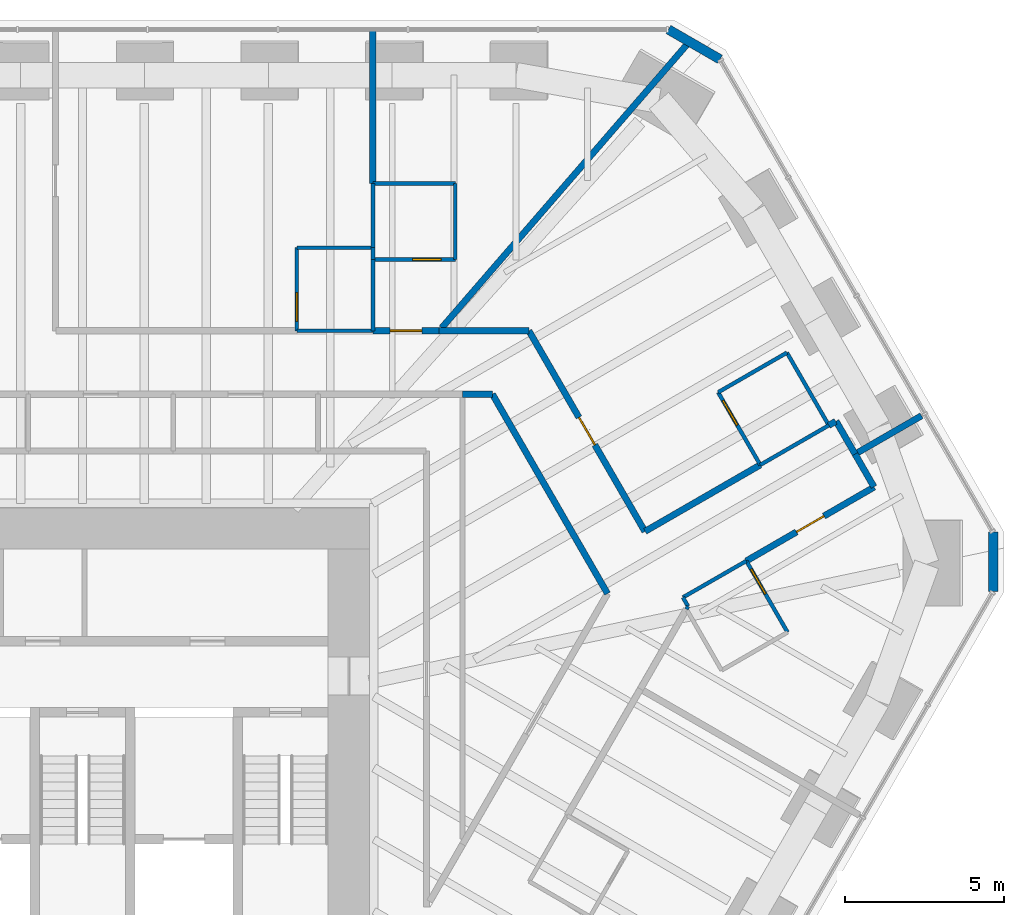
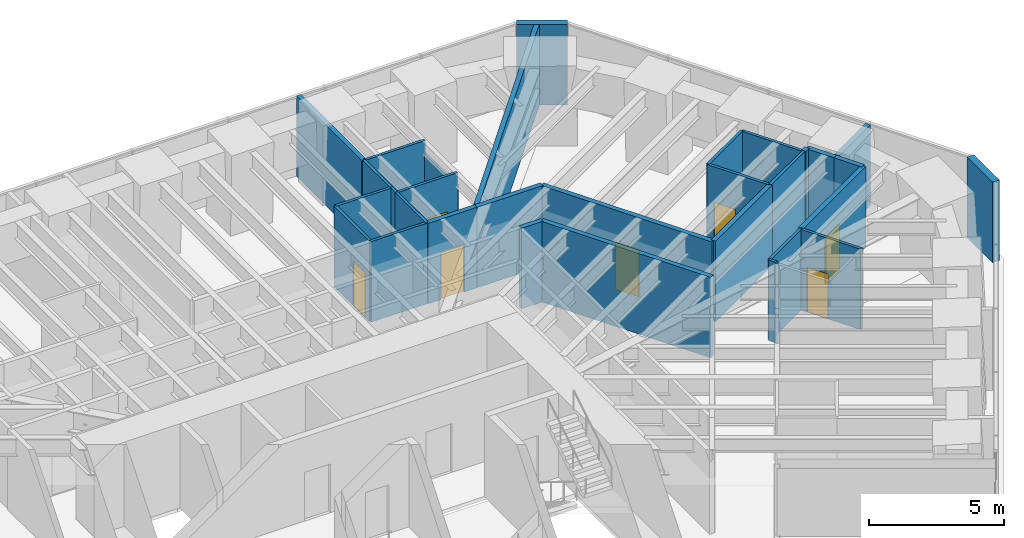
# One storey, part 15 of 17: 32 walls, 7 doors, 7 openings.
"""IFC4 building model written with IfcOpenShell, lengths in metres."""

from ifc_helpers import new_model, si_unit, direction, frame, frame_2d, origin, place, context, subcontext, project, spatial, rectangle, extrude, material, layer, layer_set, type_object, element, fill, save


model = new_model("IFC4")

# Units and contexts
model_context = context("Model", 3, precision=1e-05, world=origin(), true_north=direction((0.0, 1.0)))
body_context = subcontext(model_context, "Body", "Model", "MODEL_VIEW")
ifc_project = project(units=[si_unit("LENGTHUNIT", "METRE"), si_unit("AREAUNIT", "SQUARE_METRE"), si_unit("VOLUMEUNIT", "CUBIC_METRE"), si_unit("PLANEANGLEUNIT", "RADIAN"), si_unit("MASSUNIT", "GRAM", prefix="KILO")], contexts=[model_context])

# Site, building, storey
site_placement = place(None, origin())
site = spatial("IfcSite", under=ifc_project, at=site_placement, CompositionType="ELEMENT")
building_placement = place(site_placement, origin())
building = spatial("IfcBuilding", under=site, at=building_placement, Name="Sandreach Pilgrim Tower", CompositionType="ELEMENT")
storey_placement = place(building_placement, frame((0.0, 0.0, 150.0)))
storey = spatial("IfcBuildingStorey", under=building, at=storey_placement, Name="L37", CompositionType="ELEMENT", Elevation=150.0)

# Wall, opening, door
ifc_material_1 = material(Name="Moisture-resistant gypsum board on steel studs", Category="steel")
ifc_layer_1 = layer(ifc_material_1, 0.1201171875)
ifc_layer_set_1 = layer_set([ifc_layer_1], Name="Bathroom partition 120")
wall_type_1 = type_object("IfcWallType", Name="Bathroom partition 120", PredefinedType="PARTITIONING", material=ifc_layer_set_1)
wall_1_placement = place(storey_placement, frame((6.760009765625, 15.610107421875, 0.0), z_axis=(0.0, 0.0, 1.0), x_axis=(0.0, -1.0, 0.0)))
wall_1 = element("IfcWall", 1, at=wall_1_placement, inside=storey, type_object=wall_type_1, Name="Bathroom partition L37-089", PredefinedType="PARTITIONING", context=body_context, shape_type="SweptSolid", body=[
    extrude(rectangle(XDim=2.6201171875, YDim=0.1201171875, at=frame_2d((1.31005859375, 0.0))), origin(), (0.0, 0.0, 1.0), 3.639892578125),
])
opening_1_placement = place(wall_1_placement, frame((1.419921875, 0.0, 0.0)))
opening_1 = element("IfcOpeningElement", 2, at=opening_1_placement, cuts=wall_1, Name="Opening D09-03B", PredefinedType="OPENING", context=body_context, shape_type="SweptSolid", body=[
    extrude(rectangle(XDim=0.89990234375, YDim=2.030029296875, at=frame_2d((0.449951171875, 1.01513671875))), frame((0.0, 0.06005859375, 0.0), z_axis=(0.0, -1.0, 0.0), x_axis=(1.0, 0.0, 0.0)), (0.0, 0.0, 1.0), 0.1201171875),
])
ifc_material_2 = material(Name="Timber door, steel frame", Category="steel")
door_type_1 = type_object("IfcDoorType", Name="Bathroom door", OperationType="SINGLE_SWING_LEFT", PredefinedType="DOOR", material=ifc_material_2)
door_1_placement = place(opening_1_placement, origin())
door_1 = element("IfcDoor", 3, at=door_1_placement, inside=storey, type_object=door_type_1, Name="Door 3703B", OperationType="SINGLE_SWING_RIGHT", OverallHeight=2.030029296875, OverallWidth=0.89990234375, PredefinedType="DOOR", context=body_context, shape_type="SweptSolid", body=[
    extrude(rectangle(XDim=0.89990234375, YDim=2.030029296875, at=frame_2d((0.449951171875, 1.01513671875))), frame((0.0, 0.02490234375, 0.0), z_axis=(0.0, -1.0, 0.0), x_axis=(1.0, 0.0, 0.0)), (0.0, 0.0, 1.0), 0.050048828125),
])
fill(opening_1, door_1)

# Walls
wall_2_placement = place(storey_placement, frame((9.159912109375, 12.989990234375, 0.0), z_axis=(0.0, 0.0, 1.0), x_axis=(-1.0, 0.0, 0.0)))
element("IfcWall", 4, at=wall_2_placement, inside=storey, type_object=wall_type_1, Name="Bathroom partition L37-102", PredefinedType="PARTITIONING", context=body_context, shape_type="SweptSolid", body=[
    extrude(rectangle(XDim=2.39990234375, YDim=0.1201171875, at=frame_2d((1.199951171875, 0.0))), origin(), (0.0, 0.0, 1.0), 3.639892578125),
])
wall_3_placement = place(storey_placement, frame((9.159912109375, 15.239990234375, 0.0), z_axis=(0.0, 0.0, 1.0), x_axis=(0.0, -1.0, 0.0)))
element("IfcWall", 5, at=wall_3_placement, inside=storey, type_object=wall_type_1, Name="Bathroom partition L37-103", PredefinedType="PARTITIONING", context=body_context, shape_type="SweptSolid", body=[
    extrude(rectangle(XDim=2.25, YDim=0.1201171875, at=frame_2d((1.125, 0.0))), origin(), (0.0, 0.0, 1.0), 3.639892578125),
])

# Wall, opening, door
wall_4_placement = place(storey_placement, frame((9.159912109375, 15.239990234375, 0.0), z_axis=(0.0, 0.0, 1.0), x_axis=(1.0, 0.0, 0.0)))
wall_4 = element("IfcWall", 6, at=wall_4_placement, inside=storey, type_object=wall_type_1, Name="Bathroom partition L37-104", PredefinedType="PARTITIONING", context=body_context, shape_type="SweptSolid", body=[
    extrude(rectangle(XDim=2.60009765625, YDim=0.1201171875, at=frame_2d((1.300048828125, 0.0))), origin(), (0.0, 0.0, 1.0), 3.639892578125),
])
opening_2_placement = place(wall_4_placement, frame((1.25, 0.0, 0.0)))
opening_2 = element("IfcOpeningElement", 7, at=opening_2_placement, cuts=wall_4, Name="Opening D09-04B", PredefinedType="OPENING", context=body_context, shape_type="SweptSolid", body=[
    extrude(rectangle(XDim=0.89990234375, YDim=2.030029296875, at=frame_2d((0.449951171875, 1.01513671875))), frame((0.0, 0.06005859375, 0.0), z_axis=(0.0, -1.0, 0.0), x_axis=(1.0, 0.0, 0.0)), (0.0, 0.0, 1.0), 0.1201171875),
])
door_2_placement = place(opening_2_placement, origin())
door_2 = element("IfcDoor", 8, at=door_2_placement, inside=storey, type_object=door_type_1, Name="Door 3704B", OperationType="SINGLE_SWING_RIGHT", OverallHeight=2.030029296875, OverallWidth=0.89990234375, PredefinedType="DOOR", context=body_context, shape_type="SweptSolid", body=[
    extrude(rectangle(XDim=0.89990234375, YDim=2.030029296875, at=frame_2d((0.449951171875, 1.01513671875))), frame((0.0, 0.02490234375, 0.0), z_axis=(0.0, -1.0, 0.0), x_axis=(1.0, 0.0, 0.0)), (0.0, 0.0, 1.0), 0.050048828125),
])
fill(opening_2, door_2)

# Walls
wall_5_placement = place(storey_placement, frame((9.159912109375, 15.610107421875, 0.0), z_axis=(0.0, 0.0, 1.0), x_axis=(-1.0, 0.0, 0.0)))
element("IfcWall", 9, at=wall_5_placement, inside=storey, type_object=wall_type_1, Name="Bathroom partition L37-105", PredefinedType="PARTITIONING", context=body_context, shape_type="SweptSolid", body=[
    extrude(rectangle(XDim=2.39990234375, YDim=0.1201171875, at=frame_2d((1.199951171875, 0.0))), origin(), (0.0, 0.0, 1.0), 3.639892578125),
])
wall_6_placement = place(storey_placement, frame((9.159912109375, 15.610107421875, 0.0), z_axis=(0.0, 0.0, 1.0), x_axis=(0.0, -1.0, 0.0)))
element("IfcWall", 10, at=wall_6_placement, inside=storey, type_object=wall_type_1, Name="Bathroom partition L37-106", PredefinedType="PARTITIONING", context=body_context, shape_type="SweptSolid", body=[
    extrude(rectangle(XDim=0.3701171875, YDim=0.1201171875, at=frame_2d((0.18505859375, 0.0))), origin(), (0.0, 0.0, 1.0), 3.639892578125),
])
wall_7_placement = place(storey_placement, frame((9.159912109375, 17.639892578125, 0.0), z_axis=(0.0, 0.0, 1.0), x_axis=(0.0, -1.0, 0.0)))
element("IfcWall", 11, at=wall_7_placement, inside=storey, type_object=wall_type_1, Name="Bathroom partition L37-107", PredefinedType="PARTITIONING", context=body_context, shape_type="SweptSolid", body=[
    extrude(rectangle(XDim=2.02978515625, YDim=0.1201171875, at=frame_2d((1.014892578125, 0.0))), origin(), (0.0, 0.0, 1.0), 3.639892578125),
])
wall_8_placement = place(storey_placement, frame((11.760009765625, 15.239990234375, 0.0), z_axis=(0.0, 0.0, 1.0), x_axis=(0.0, 1.0, 0.0)))
element("IfcWall", 12, at=wall_8_placement, inside=storey, type_object=wall_type_1, Name="Bathroom partition L37-118", PredefinedType="PARTITIONING", context=body_context, shape_type="SweptSolid", body=[
    extrude(rectangle(XDim=2.39990234375, YDim=0.1201171875, at=frame_2d((1.199951171875, 0.0))), origin(), (0.0, 0.0, 1.0), 3.0380859375),
])
wall_9_placement = place(storey_placement, frame((11.760009765625, 17.639892578125, 0.0), z_axis=(0.0, 0.0, 1.0), x_axis=(-1.0, 0.0, 0.0)))
element("IfcWall", 13, at=wall_9_placement, inside=storey, type_object=wall_type_1, Name="Bathroom partition L37-119", PredefinedType="PARTITIONING", context=body_context, shape_type="SweptSolid", body=[
    extrude(rectangle(XDim=2.60009765625, YDim=0.1201171875, at=frame_2d((1.300048828125, 0.0))), origin(), (0.0, 0.0, 1.0), 3.639892578125),
])
wall_10_placement = place(storey_placement, frame((18.93994140625, 4.580078125, 0.0), z_axis=(0.0, 0.0, 1.0), x_axis=(0.866924594573, 0.498439311577, 0.0)))
element("IfcWall", 14, at=wall_10_placement, inside=storey, type_object=wall_type_1, Name="Bathroom partition L37-136", PredefinedType="PARTITIONING", context=body_context, shape_type="SweptSolid", body=[
    extrude(rectangle(XDim=2.306884765625, YDim=0.1201171875, at=frame_2d((1.1533203125, 0.0))), origin(), (0.0, 0.0, 1.0), 3.639892578125),
])
wall_11_placement = place(storey_placement, frame((19.050048828125, 4.2099609375, 0.0), z_axis=(0.0, 0.0, 1.0), x_axis=(0.485642931179, 0.874157276122, 0.0)))
element("IfcWall", 15, at=wall_11_placement, inside=storey, type_object=wall_type_1, Name="Bathroom partition L37-137", PredefinedType="PARTITIONING", context=body_context, shape_type="SweptSolid", body=[
    extrude(rectangle(XDim=0.10302734375, YDim=0.1201171875, at=frame_2d((0.051513671875, 0.0))), origin(), (0.0, 0.0, 1.0), 3.639892578125),
])
wall_12_placement = place(storey_placement, frame((19.10009765625, 4.300048828125, 0.0), z_axis=(0.0, 0.0, 1.0), x_axis=(-0.496464912237, 0.868056790146, 0.0)))
element("IfcWall", 16, at=wall_12_placement, inside=storey, type_object=wall_type_1, Name="Bathroom partition L37-139", PredefinedType="PARTITIONING", context=body_context, shape_type="SweptSolid", body=[
    extrude(rectangle(XDim=0.322509765625, YDim=0.1201171875, at=frame_2d((0.1611328125, 0.0))), origin(), (0.0, 0.0, 1.0), 3.639892578125),
])

# Wall, opening, door
wall_13_placement = place(storey_placement, frame((20.050048828125, 11.050048828125, 0.0), z_axis=(0.0, 0.0, 1.0), x_axis=(0.502173326652, -0.864766991738, 0.0)))
wall_13 = element("IfcWall", 17, at=wall_13_placement, inside=storey, type_object=wall_type_1, Name="Bathroom partition L37-141", PredefinedType="PARTITIONING", context=body_context, shape_type="SweptSolid", body=[
    extrude(rectangle(XDim=2.648193359375, YDim=0.1201171875, at=frame_2d((1.32421875, 0.0))), origin(), (0.0, 0.0, 1.0), 3.639892578125),
])
opening_3_placement = place(wall_13_placement, frame((0.300048828125, 0.0, 0.0)))
opening_3 = element("IfcOpeningElement", 18, at=opening_3_placement, cuts=wall_13, Name="Opening D09-05B", PredefinedType="OPENING", context=body_context, shape_type="SweptSolid", body=[
    extrude(rectangle(XDim=0.89990234375, YDim=2.030029296875, at=frame_2d((0.449951171875, 1.01513671875))), frame((0.0, 0.06005859375, 0.0), z_axis=(0.0, -1.0, 0.0), x_axis=(1.0, 0.0, 0.0)), (0.0, 0.0, 1.0), 0.1201171875),
])
door_3_placement = place(opening_3_placement, origin())
door_3 = element("IfcDoor", 19, at=door_3_placement, inside=storey, type_object=door_type_1, Name="Door 3705B", OperationType="SINGLE_SWING_LEFT", OverallHeight=2.030029296875, OverallWidth=0.89990234375, PredefinedType="DOOR", context=body_context, shape_type="SweptSolid", body=[
    extrude(rectangle(XDim=0.89990234375, YDim=2.030029296875, at=frame_2d((0.449951171875, 1.01513671875))), frame((0.0, 0.02490234375, 0.0), z_axis=(0.0, -1.0, 0.0), x_axis=(1.0, 0.0, 0.0)), (0.0, 0.0, 1.0), 0.050048828125),
])
fill(opening_3, door_3)

# Walls
wall_14_placement = place(storey_placement, frame((21.3798828125, 8.760009765625, 0.0), z_axis=(0.0, 0.0, 1.0), x_axis=(0.866104147805, 0.499863586547, 0.0)))
element("IfcWall", 20, at=wall_14_placement, inside=storey, type_object=wall_type_1, Name="Bathroom partition L37-144", PredefinedType="PARTITIONING", context=body_context, shape_type="SweptSolid", body=[
    extrude(rectangle(XDim=2.495849609375, YDim=0.1201171875, at=frame_2d((1.248046875, 0.0))), origin(), (0.0, 0.0, 1.0), 3.639892578125),
])
wall_15_placement = place(storey_placement, frame((22.219970703125, 12.300048828125, 0.0), z_axis=(0.0, 0.0, 1.0), x_axis=(-0.866510016372, -0.499159685399, 0.0)))
element("IfcWall", 21, at=wall_15_placement, inside=storey, type_object=wall_type_1, Name="Bathroom partition L37-145", PredefinedType="PARTITIONING", context=body_context, shape_type="SweptSolid", body=[
    extrude(rectangle(XDim=2.504150390625, YDim=0.1201171875, at=frame_2d((1.251953125, 0.0))), origin(), (0.0, 0.0, 1.0), 3.639892578125),
])

# Wall, opening, door
wall_16_placement = place(storey_placement, frame((22.239990234375, 3.47998046875, 0.0), z_axis=(0.0, 0.0, 1.0), x_axis=(-0.500291685314, 0.865856933682, 0.0)))
wall_16 = element("IfcWall", 22, at=wall_16_placement, inside=storey, type_object=wall_type_1, Name="Bathroom partition L37-146", PredefinedType="PARTITIONING", context=body_context, shape_type="SweptSolid", body=[
    extrude(rectangle(XDim=2.5986328125, YDim=0.1201171875, at=frame_2d((1.29931640625, 0.0))), origin(), (0.0, 0.0, 1.0), 3.639892578125),
])
opening_4_placement = place(wall_16_placement, frame((1.398681640625, 0.0, 0.0)))
opening_4 = element("IfcOpeningElement", 23, at=opening_4_placement, cuts=wall_16, Name="Opening D09-06B", PredefinedType="OPENING", context=body_context, shape_type="SweptSolid", body=[
    extrude(rectangle(XDim=0.89990234375, YDim=2.030029296875, at=frame_2d((0.449951171875, 1.01513671875))), frame((0.0, 0.06005859375, 0.0), z_axis=(0.0, -1.0, 0.0), x_axis=(1.0, 0.0, 0.0)), (0.0, 0.0, 1.0), 0.1201171875),
])
door_4_placement = place(opening_4_placement, origin())
door_4 = element("IfcDoor", 24, at=door_4_placement, inside=storey, type_object=door_type_1, Name="Door 3706B", OperationType="SINGLE_SWING_RIGHT", OverallHeight=2.030029296875, OverallWidth=0.89990234375, PredefinedType="DOOR", context=body_context, shape_type="SweptSolid", body=[
    extrude(rectangle(XDim=0.89990234375, YDim=2.030029296875, at=frame_2d((0.449951171875, 1.01513671875))), frame((0.0, 0.02490234375, 0.0), z_axis=(0.0, -1.0, 0.0), x_axis=(1.0, 0.0, 0.0)), (0.0, 0.0, 1.0), 0.050048828125),
])
fill(opening_4, door_4)

# Wall
wall_17_placement = place(storey_placement, frame((23.5400390625, 10.010009765625, 0.0), z_axis=(0.0, 0.0, 1.0), x_axis=(-0.499407914056, 0.866366975004, 0.0)))
element("IfcWall", 25, at=wall_17_placement, inside=storey, type_object=wall_type_1, Name="Bathroom partition L37-147", PredefinedType="PARTITIONING", context=body_context, shape_type="SweptSolid", body=[
    extrude(rectangle(XDim=2.643310546875, YDim=0.1201171875, at=frame_2d((1.32177734375, 0.0))), origin(), (0.0, 0.0, 1.0), 3.639892578125),
])

# Wall, opening, door
ifc_material_3 = material(Name="Gypsum board on steel studs, two layers each side", Category="steel")
ifc_layer_2 = layer(ifc_material_3, 0.199951171875)
ifc_layer_set_2 = layer_set([ifc_layer_2], Name="Corridor wall 200")
wall_type_2 = type_object("IfcWallType", Name="Corridor wall 200", PredefinedType="PARTITIONING", material=ifc_layer_set_2)
wall_18_placement = place(storey_placement, frame((11.25, 12.989990234375, 0.0), z_axis=(0.0, 0.0, 1.0), x_axis=(-1.0, 0.0, 0.0)))
wall_18 = element("IfcWall", 26, at=wall_18_placement, inside=storey, type_object=wall_type_2, Name="Corridor wall L37-116", PredefinedType="PARTITIONING", context=body_context, shape_type="SweptSolid", body=[
    extrude(rectangle(XDim=2.090087890625, YDim=0.199951171875, at=frame_2d((1.044921875, 0.0))), origin(), (0.0, 0.0, 1.0), 3.639892578125),
])
opening_5_placement = place(wall_18_placement, frame((0.544921875, 0.0, 0.0)))
opening_5 = element("IfcOpeningElement", 27, at=opening_5_placement, cuts=wall_18, Name="Opening D10-04", PredefinedType="OPENING", context=body_context, shape_type="SweptSolid", body=[
    extrude(rectangle(XDim=1.0, YDim=2.1298828125, at=frame_2d((0.5, 1.06494140625))), frame((0.0, 0.10009765625, 0.0), z_axis=(0.0, -1.0, 0.0), x_axis=(1.0, 0.0, 0.0)), (0.0, 0.0, 1.0), 0.199951171875),
])
ifc_material_4 = material(Name="Steel door and frame", Category="steel")
door_type_2 = type_object("IfcDoorType", Name="Guest room entry door", OperationType="SINGLE_SWING_LEFT", PredefinedType="DOOR", material=ifc_material_4)
door_5_placement = place(opening_5_placement, origin())
door_5 = element("IfcDoor", 28, at=door_5_placement, inside=storey, type_object=door_type_2, Name="Door 3704", OperationType="SINGLE_SWING_LEFT", OverallHeight=2.1298828125, OverallWidth=1.0, PredefinedType="DOOR", context=body_context, shape_type="SweptSolid", body=[
    extrude(rectangle(XDim=1.0, YDim=2.1298828125, at=frame_2d((0.5, 1.06494140625))), frame((0.0, 0.02490234375, 0.0), z_axis=(0.0, -1.0, 0.0), x_axis=(1.0, 0.0, 0.0)), (0.0, 0.0, 1.0), 0.050048828125),
])
fill(opening_5, door_5)

# Walls
wall_19_placement = place(storey_placement, frame((11.989990234375, 10.989990234375, 0.0), z_axis=(0.0, 0.0, 1.0), x_axis=(1.0, 0.0, 0.0)))
element("IfcWall", 29, at=wall_19_placement, inside=storey, type_object=wall_type_2, Name="Corridor wall L37-122", PredefinedType="PARTITIONING", context=body_context, shape_type="SweptSolid", body=[
    extrude(rectangle(XDim=0.93994140625, YDim=0.199951171875, at=frame_2d((0.469970703125, 0.0))), origin(), (0.0, 0.0, 1.0), 3.639892578125),
])
wall_20_placement = place(storey_placement, frame((12.929931640625, 10.989990234375, 0.0), z_axis=(0.0, 0.0, 1.0), x_axis=(0.4998524389, -0.866110581465, 0.0)))
element("IfcWall", 30, at=wall_20_placement, inside=storey, type_object=wall_type_2, Name="Corridor wall L37-124", PredefinedType="PARTITIONING", context=body_context, shape_type="SweptSolid", body=[
    extrude(rectangle(XDim=7.262451171875, YDim=0.199951171875, at=frame_2d((3.63134765625, 0.0))), origin(), (0.0, 0.0, 1.0), 3.639892578125),
])
wall_21_placement = place(storey_placement, frame((14.080078125, 12.989990234375, 0.0), z_axis=(0.0, 0.0, 1.0), x_axis=(-1.0, 0.0, 0.0)))
element("IfcWall", 31, at=wall_21_placement, inside=storey, type_object=wall_type_2, Name="Corridor wall L37-125", PredefinedType="PARTITIONING", context=body_context, shape_type="SweptSolid", body=[
    extrude(rectangle(XDim=2.830078125, YDim=0.199951171875, at=frame_2d((1.4150390625, 0.0))), origin(), (0.0, 0.0, 1.0), 3.639892578125),
])

# Wall, opening, door
wall_22_placement = place(storey_placement, frame((17.739990234375, 6.659912109375, 0.0), z_axis=(0.0, 0.0, 1.0), x_axis=(-0.500537358343, 0.865714937438, 0.0)))
wall_22 = element("IfcWall", 32, at=wall_22_placement, inside=storey, type_object=wall_type_2, Name="Corridor wall L37-134", PredefinedType="PARTITIONING", context=body_context, shape_type="SweptSolid", body=[
    extrude(rectangle(XDim=7.31201171875, YDim=0.199951171875, at=frame_2d((3.656005859375, 0.0))), origin(), (0.0, 0.0, 1.0), 3.639892578125),
])
opening_6_placement = place(wall_22_placement, frame((3.156005859375, 0.0, 0.0)))
opening_6 = element("IfcOpeningElement", 33, at=opening_6_placement, cuts=wall_22, Name="Opening D10-05", PredefinedType="OPENING", context=body_context, shape_type="SweptSolid", body=[
    extrude(rectangle(XDim=1.0, YDim=2.1298828125, at=frame_2d((0.5, 1.06494140625))), frame((0.0, 0.10009765625, 0.0), z_axis=(0.0, -1.0, 0.0), x_axis=(1.0, 0.0, 0.0)), (0.0, 0.0, 1.0), 0.199951171875),
])
door_6_placement = place(opening_6_placement, origin())
door_6 = element("IfcDoor", 34, at=door_6_placement, inside=storey, type_object=door_type_2, Name="Door 3705", OperationType="SINGLE_SWING_LEFT", OverallHeight=2.1298828125, OverallWidth=1.0, PredefinedType="DOOR", context=body_context, shape_type="SweptSolid", body=[
    extrude(rectangle(XDim=1.0, YDim=2.1298828125, at=frame_2d((0.5, 1.06494140625))), frame((0.0, 0.02490234375, 0.0), z_axis=(0.0, -1.0, 0.0), x_axis=(1.0, 0.0, 0.0)), (0.0, 0.0, 1.0), 0.050048828125),
])
fill(opening_6, door_6)

# Wall
wall_23_placement = place(storey_placement, frame((17.748779296875, 6.6650390625, 0.0), z_axis=(0.0, 0.0, 1.0), x_axis=(0.866174920721, 0.499740939602, 0.0)))
element("IfcWall", 35, at=wall_23_placement, inside=storey, type_object=wall_type_2, Name="Corridor wall L37-135", PredefinedType="PARTITIONING", context=body_context, shape_type="SweptSolid", body=[
    extrude(rectangle(XDim=4.192138671875, YDim=0.199951171875, at=frame_2d((2.09619140625, 0.0))), origin(), (0.0, 0.0, 1.0), 3.639892578125),
])

# Wall, opening, door
wall_24_placement = place(storey_placement, frame((20.93994140625, 5.72998046875, 0.0), z_axis=(0.0, 0.0, 1.0), x_axis=(0.865714591222, 0.500537957147, 0.0)))
wall_24 = element("IfcWall", 36, at=wall_24_placement, inside=storey, type_object=wall_type_2, Name="Corridor wall L37-143", PredefinedType="PARTITIONING", context=body_context, shape_type="SweptSolid", body=[
    extrude(rectangle(XDim=4.655029296875, YDim=0.199951171875, at=frame_2d((2.32763671875, 0.0))), origin(), (0.0, 0.0, 1.0), 3.639892578125),
])
opening_7_placement = place(wall_24_placement, frame((1.82763671875, 0.0, 0.0)))
opening_7 = element("IfcOpeningElement", 37, at=opening_7_placement, cuts=wall_24, Name="Opening D10-06", PredefinedType="OPENING", context=body_context, shape_type="SweptSolid", body=[
    extrude(rectangle(XDim=1.0, YDim=2.1298828125, at=frame_2d((0.5, 1.06494140625))), frame((0.0, 0.10009765625, 0.0), z_axis=(0.0, -1.0, 0.0), x_axis=(1.0, 0.0, 0.0)), (0.0, 0.0, 1.0), 0.199951171875),
])
door_7_placement = place(opening_7_placement, origin())
door_7 = element("IfcDoor", 38, at=door_7_placement, inside=storey, type_object=door_type_2, Name="Door 3706", OperationType="SINGLE_SWING_LEFT", OverallHeight=2.1298828125, OverallWidth=1.0, PredefinedType="DOOR", context=body_context, shape_type="SweptSolid", body=[
    extrude(rectangle(XDim=1.0, YDim=2.1298828125, at=frame_2d((0.5, 1.06494140625))), frame((0.0, 0.02490234375, 0.0), z_axis=(0.0, -1.0, 0.0), x_axis=(1.0, 0.0, 0.0)), (0.0, 0.0, 1.0), 0.050048828125),
])
fill(opening_7, door_7)

# Walls
wall_25_placement = place(storey_placement, frame((23.54150390625, 10.007568359375, 0.0), z_axis=(0.0, 0.0, 1.0), x_axis=(0.865090711066, 0.501615451943, 0.0)))
element("IfcWall", 39, at=wall_25_placement, inside=storey, type_object=wall_type_2, Name="Corridor wall L37-148", PredefinedType="PARTITIONING", context=body_context, shape_type="SweptSolid", body=[
    extrude(rectangle(XDim=0.249267578125, YDim=0.199951171875, at=frame_2d((0.12451171875, 0.0))), origin(), (0.0, 0.0, 1.0), 3.639892578125),
])
wall_26_placement = place(storey_placement, frame((23.77001953125, 10.139892578125, 0.0), z_axis=(0.0, 0.0, 1.0), x_axis=(0.499769390944, -0.866158505053, 0.0)))
element("IfcWall", 40, at=wall_26_placement, inside=storey, type_object=wall_type_2, Name="Corridor wall L37-149", PredefinedType="PARTITIONING", context=body_context, shape_type="SweptSolid", body=[
    extrude(rectangle(XDim=1.20068359375, YDim=0.199951171875, at=frame_2d((0.600341796875, 0.0))), origin(), (0.0, 0.0, 1.0), 3.639892578125),
])
wall_27_placement = place(storey_placement, frame((24.3701171875, 9.099853515625, 0.0), z_axis=(0.0, 0.0, 1.0), x_axis=(0.499734288277, -0.866178758179, 0.0)))
element("IfcWall", 41, at=wall_27_placement, inside=storey, type_object=wall_type_2, Name="Corridor wall L37-150", PredefinedType="PARTITIONING", context=body_context, shape_type="SweptSolid", body=[
    extrude(rectangle(XDim=1.190673828125, YDim=0.199951171875, at=frame_2d((0.59521484375, 0.0))), origin(), (0.0, 0.0, 1.0), 3.639892578125),
])
ifc_material_5 = material(Name="Double steel stud acoustic wall, gypsum board", Category="steel")
ifc_layer_3 = layer(ifc_material_5, 0.199951171875)
ifc_layer_set_3 = layer_set([ifc_layer_3], Name="Party wall 200")
wall_type_3 = type_object("IfcWallType", Name="Party wall 200", PredefinedType="PARTITIONING", material=ifc_layer_set_3)
wall_28_placement = place(storey_placement, frame((9.159912109375, 22.4599609375, 0.0), z_axis=(0.0, 0.0, 1.0), x_axis=(0.0, -1.0, 0.0)))
element("IfcWall", 42, at=wall_28_placement, inside=storey, type_object=wall_type_3, Name="Party wall L37-108", PredefinedType="PARTITIONING", context=body_context, shape_type="SweptSolid", body=[
    extrude(rectangle(XDim=4.820068359375, YDim=0.199951171875, at=frame_2d((2.41015625, 0.0))), origin(), (0.0, 0.0, 1.0), 3.639892578125),
])
wall_29_placement = place(storey_placement, frame((19.160400390625, 22.127197265625, 0.0), z_axis=(0.0, 0.0, 1.0), x_axis=(-0.654528846076, -0.756037029288, 0.0)))
element("IfcWall", 43, at=wall_29_placement, inside=storey, type_object=wall_type_3, Name="Party wall L37-140", PredefinedType="PARTITIONING", context=body_context, shape_type="SweptSolid", body=[
    extrude(rectangle(XDim=11.965576171875, YDim=0.199951171875, at=frame_2d((5.98291015625, 0.0))), origin(), (0.0, 0.0, 1.0), 3.639892578125),
])
wall_30_placement = place(storey_placement, frame((26.466064453125, 10.31005859375, 0.0), z_axis=(0.0, 0.0, 1.0), x_axis=(-0.866023315909, -0.500003616288, 0.0)))
element("IfcWall", 44, at=wall_30_placement, inside=storey, type_object=wall_type_3, Name="Party wall L37-152", PredefinedType="PARTITIONING", context=body_context, shape_type="SweptSolid", body=[
    extrude(rectangle(XDim=2.4052734375, YDim=0.199951171875, at=frame_2d((1.20263671875, 0.0))), origin(), (0.0, 0.0, 1.0), 3.639892578125),
])
ifc_material_6 = material(Name="Terracotta rainscreen on concrete", Category="masonry")
ifc_layer_4 = layer(ifc_material_6, 0.300048828125)
ifc_layer_set_4 = layer_set([ifc_layer_4], Name="Terracotta chamfer pier")
wall_type_4 = type_object("IfcWallType", Name="Terracotta chamfer pier", PredefinedType="SOLIDWALL", material=ifc_layer_set_4)
wall_31_placement = place(storey_placement, frame((18.4814453125, 22.493896484375, 0.0), z_axis=(0.0, 0.0, 1.0), x_axis=(0.865988793993, -0.500063404658, 0.0)))
element("IfcWall", 45, at=wall_31_placement, inside=storey, type_object=wall_type_4, Name="Chamfer pier L37 N", PredefinedType="SOLIDWALL", context=body_context, shape_type="SweptSolid", body=[
    extrude(rectangle(XDim=1.880126953125, YDim=0.300048828125, at=frame_2d((0.93994140625, 0.0))), origin(), (0.0, 0.0, 1.0), 3.639892578125),
])
wall_32_placement = place(storey_placement, frame((28.720947265625, 6.638427734375, 0.0), z_axis=(0.0, 0.0, 1.0), x_axis=(0.0, -1.0, 0.0)))
element("IfcWall", 46, at=wall_32_placement, inside=storey, type_object=wall_type_4, Name="Chamfer pier L37 NE", PredefinedType="SOLIDWALL", context=body_context, shape_type="SweptSolid", body=[
    extrude(rectangle(XDim=1.8798828125, YDim=0.300048828125, at=frame_2d((0.93994140625, 0.0))), origin(), (0.0, 0.0, 1.0), 3.639892578125),
])

save(model, "model.ifc")
